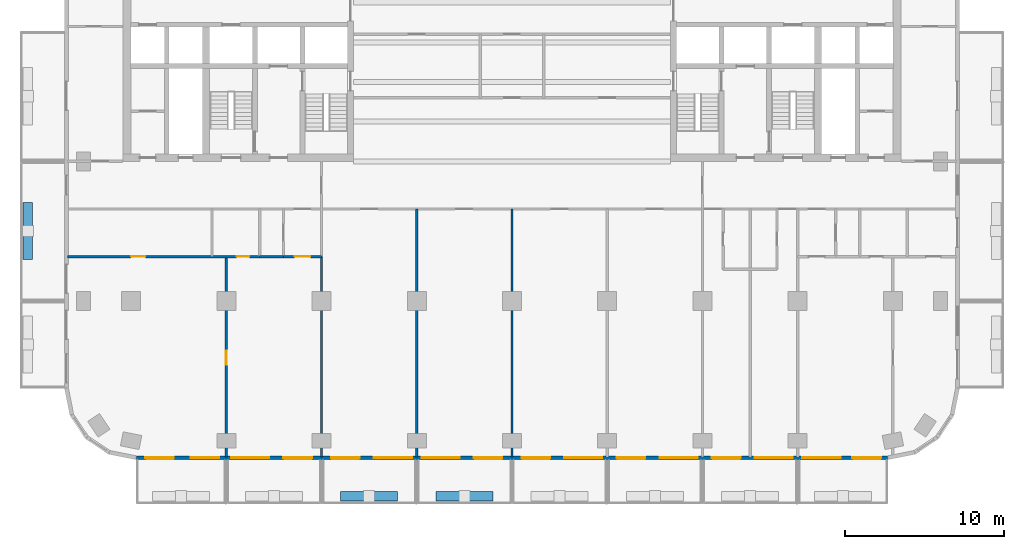
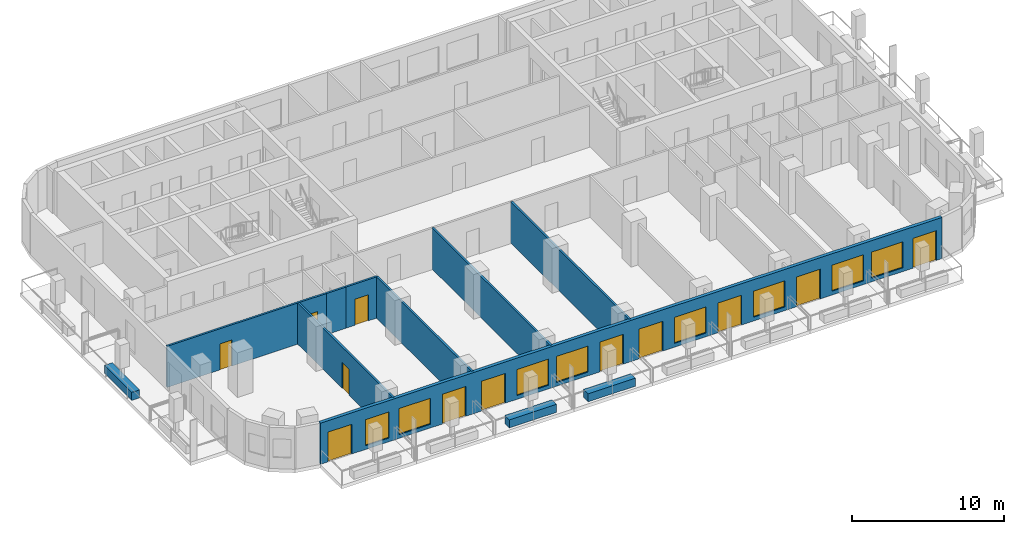
# One storey, part 2 of 12: 12 doors, 11 walls, 8 windows, 20 openings.
"""IFC4 building model written with IfcOpenShell, lengths in metres."""

from ifc_helpers import new_model, si_unit, direction, frame, frame_2d, origin, place, context, subcontext, project, spatial, rectangle, extrude, material, layer, layer_set, type_object, element, fill, save


model = new_model("IFC4")

# Units and contexts
model_context = context("Model", 3, precision=1e-05, world=origin(), true_north=direction((0.0, 1.0)))
body_context = subcontext(model_context, "Body", "Model", "MODEL_VIEW")
ifc_project = project(units=[si_unit("LENGTHUNIT", "METRE"), si_unit("AREAUNIT", "SQUARE_METRE"), si_unit("VOLUMEUNIT", "CUBIC_METRE"), si_unit("PLANEANGLEUNIT", "RADIAN"), si_unit("MASSUNIT", "GRAM", prefix="KILO")], contexts=[model_context])

# Site, building, storey
site_placement = place(None, origin())
site = spatial("IfcSite", under=ifc_project, at=site_placement, CompositionType="ELEMENT")
building_placement = place(site_placement, origin())
building = spatial("IfcBuilding", under=site, at=building_placement, Name="Torana Hotel and Residences", CompositionType="ELEMENT")
storey_placement = place(building_placement, frame((0.0, 0.0, 159.60009765625)))
storey = spatial("IfcBuildingStorey", under=building, at=storey_placement, Name="L41", CompositionType="ELEMENT", Elevation=159.60009765625)

# Wall, openings, doors, windows
ifc_material_1 = material(Name="Black aluminium composite panel", Category="aluminium")
ifc_layer_1 = layer(ifc_material_1, 0.00390625, Name="Cladding", Category="cladding")
ifc_material_2 = material(Name="Ventilated air cavity")
ifc_layer_2 = layer(ifc_material_2, 0.0400390625, Name="Ventilated cavity", Category="cavity")
ifc_material_3 = material(Name="Mineral wool insulation")
ifc_layer_3 = layer(ifc_material_3, 0.090087890625, Name="Insulation", Category="insulation")
ifc_material_4 = material(Name="Steel S280GD", Category="steel")
ifc_layer_4 = layer(ifc_material_4, 0.092041015625, Name="Steel stud frame", Category="structure")
ifc_material_5 = material(Name="Fire rated plasterboard")
ifc_layer_5 = layer(ifc_material_5, 0.011962890625, Name="Inner board", Category="finish")
ifc_layer_6 = layer(ifc_material_5, 0.011962890625, Name="Second board", Category="finish")
ifc_layer_set_1 = layer_set([ifc_layer_1, ifc_layer_2, ifc_layer_3, ifc_layer_4, ifc_layer_5, ifc_layer_6], Name="EW1 EXTERNAL WALL BLACK METAL CLAD 250")
wall_type_1 = type_object("IfcWallType", Name="EW1 EXTERNAL WALL BLACK METAL CLAD 250", PredefinedType="SOLIDWALL", material=ifc_layer_set_1)
wall_1_placement = place(storey_placement, frame((-23.67529296875, -33.675048828125, 0.0), z_axis=(0.0, 0.0, 1.0), x_axis=(1.0, 0.0, 0.0)))
wall_1 = element("IfcWall", 1, at=wall_1_placement, inside=storey, type_object=wall_type_1, Name="External wall L41 e0.14", PredefinedType="SOLIDWALL", context=body_context, shape_type="SweptSolid", body=[
    extrude(rectangle(XDim=47.3505859375, YDim=0.25, at=frame_2d((23.67529296875, 0.0))), origin(), (0.0, 0.0, 1.0), 3.31982421875),
])
opening_1_placement = place(wall_1_placement, frame((0.575439453125, 0.0, 0.0)))
opening_1 = element("IfcOpeningElement", 2, at=opening_1_placement, cuts=wall_1, Name="Opening L41-E01", PredefinedType="OPENING", context=body_context, shape_type="SweptSolid", body=[
    extrude(rectangle(XDim=1.800048828125, YDim=2.39990234375, at=frame_2d((0.89990234375, 1.199951171875))), frame((0.0, 0.135009765625, 0.0), z_axis=(0.0, -1.0, 0.0), x_axis=(1.0, 0.0, 0.0)), (0.0, 0.0, 1.0), 0.27001953125),
])
opening_2_placement = place(wall_1_placement, frame((3.42529296875, 0.0, 0.300048828125)))
opening_2 = element("IfcOpeningElement", 3, at=opening_2_placement, cuts=wall_1, Name="Opening W2", PredefinedType="OPENING", context=body_context, shape_type="SweptSolid", body=[
    extrude(rectangle(XDim=1.800048828125, YDim=2.10009765625, at=frame_2d((0.89990234375, 1.050048828125))), frame((0.0, 0.135009765625, 0.0), z_axis=(0.0, -1.0, 0.0), x_axis=(1.0, 0.0, 0.0)), (0.0, 0.0, 1.0), 0.27001953125),
])
opening_3_placement = place(wall_1_placement, frame((5.975341796875, 0.0, 0.300048828125)))
opening_3 = element("IfcOpeningElement", 4, at=opening_3_placement, cuts=wall_1, Name="Opening W1", PredefinedType="OPENING", context=body_context, shape_type="SweptSolid", body=[
    extrude(rectangle(XDim=2.39990234375, YDim=2.10009765625, at=frame_2d((1.199951171875, 1.050048828125))), frame((0.0, 0.135009765625, 0.0), z_axis=(0.0, -1.0, 0.0), x_axis=(1.0, 0.0, 0.0)), (0.0, 0.0, 1.0), 0.27001953125),
])
opening_4_placement = place(wall_1_placement, frame((9.275390625, 0.0, 0.0)))
opening_4 = element("IfcOpeningElement", 5, at=opening_4_placement, cuts=wall_1, Name="Opening L41-E02", PredefinedType="OPENING", context=body_context, shape_type="SweptSolid", body=[
    extrude(rectangle(XDim=1.800048828125, YDim=2.39990234375, at=frame_2d((0.89990234375, 1.199951171875))), frame((0.0, 0.135009765625, 0.0), z_axis=(0.0, -1.0, 0.0), x_axis=(1.0, 0.0, 0.0)), (0.0, 0.0, 1.0), 0.27001953125),
])
opening_5_placement = place(wall_1_placement, frame((12.275390625, 0.0, 0.0)))
opening_5 = element("IfcOpeningElement", 6, at=opening_5_placement, cuts=wall_1, Name="Opening L41-E03", PredefinedType="OPENING", context=body_context, shape_type="SweptSolid", body=[
    extrude(rectangle(XDim=1.800048828125, YDim=2.39990234375, at=frame_2d((0.89990234375, 1.199951171875))), frame((0.0, 0.135009765625, 0.0), z_axis=(0.0, -1.0, 0.0), x_axis=(1.0, 0.0, 0.0)), (0.0, 0.0, 1.0), 0.27001953125),
])
opening_6_placement = place(wall_1_placement, frame((14.975341796875, 0.0, 0.300048828125)))
opening_6 = element("IfcOpeningElement", 7, at=opening_6_placement, cuts=wall_1, Name="Opening W1", PredefinedType="OPENING", context=body_context, shape_type="SweptSolid", body=[
    extrude(rectangle(XDim=2.39990234375, YDim=2.10009765625, at=frame_2d((1.199951171875, 1.050048828125))), frame((0.0, 0.135009765625, 0.0), z_axis=(0.0, -1.0, 0.0), x_axis=(1.0, 0.0, 0.0)), (0.0, 0.0, 1.0), 0.27001953125),
])
opening_7_placement = place(wall_1_placement, frame((17.975341796875, 0.0, 0.300048828125)))
opening_7 = element("IfcOpeningElement", 8, at=opening_7_placement, cuts=wall_1, Name="Opening W1", PredefinedType="OPENING", context=body_context, shape_type="SweptSolid", body=[
    extrude(rectangle(XDim=2.39990234375, YDim=2.10009765625, at=frame_2d((1.199951171875, 1.050048828125))), frame((0.0, 0.135009765625, 0.0), z_axis=(0.0, -1.0, 0.0), x_axis=(1.0, 0.0, 0.0)), (0.0, 0.0, 1.0), 0.27001953125),
])
opening_8_placement = place(wall_1_placement, frame((21.275390625, 0.0, 0.0)))
opening_8 = element("IfcOpeningElement", 9, at=opening_8_placement, cuts=wall_1, Name="Opening L41-E04", PredefinedType="OPENING", context=body_context, shape_type="SweptSolid", body=[
    extrude(rectangle(XDim=1.800048828125, YDim=2.39990234375, at=frame_2d((0.89990234375, 1.199951171875))), frame((0.0, 0.135009765625, 0.0), z_axis=(0.0, -1.0, 0.0), x_axis=(1.0, 0.0, 0.0)), (0.0, 0.0, 1.0), 0.27001953125),
])
opening_9_placement = place(wall_1_placement, frame((24.275390625, 0.0, 0.0)))
opening_9 = element("IfcOpeningElement", 10, at=opening_9_placement, cuts=wall_1, Name="Opening L41-E05", PredefinedType="OPENING", context=body_context, shape_type="SweptSolid", body=[
    extrude(rectangle(XDim=1.800048828125, YDim=2.39990234375, at=frame_2d((0.89990234375, 1.199951171875))), frame((0.0, 0.135009765625, 0.0), z_axis=(0.0, -1.0, 0.0), x_axis=(1.0, 0.0, 0.0)), (0.0, 0.0, 1.0), 0.27001953125),
])
opening_10_placement = place(wall_1_placement, frame((26.975341796875, 0.0, 0.300048828125)))
opening_10 = element("IfcOpeningElement", 11, at=opening_10_placement, cuts=wall_1, Name="Opening W1", PredefinedType="OPENING", context=body_context, shape_type="SweptSolid", body=[
    extrude(rectangle(XDim=2.39990234375, YDim=2.10009765625, at=frame_2d((1.199951171875, 1.050048828125))), frame((0.0, 0.135009765625, 0.0), z_axis=(0.0, -1.0, 0.0), x_axis=(1.0, 0.0, 0.0)), (0.0, 0.0, 1.0), 0.27001953125),
])
opening_11_placement = place(wall_1_placement, frame((30.275390625, 0.0, 0.0)))
opening_11 = element("IfcOpeningElement", 12, at=opening_11_placement, cuts=wall_1, Name="Opening L41-E06", PredefinedType="OPENING", context=body_context, shape_type="SweptSolid", body=[
    extrude(rectangle(XDim=1.800048828125, YDim=2.39990234375, at=frame_2d((0.89990234375, 1.199951171875))), frame((0.0, 0.135009765625, 0.0), z_axis=(0.0, -1.0, 0.0), x_axis=(1.0, 0.0, 0.0)), (0.0, 0.0, 1.0), 0.27001953125),
])
opening_12_placement = place(wall_1_placement, frame((32.975341796875, 0.0, 0.300048828125)))
opening_12 = element("IfcOpeningElement", 13, at=opening_12_placement, cuts=wall_1, Name="Opening W1", PredefinedType="OPENING", context=body_context, shape_type="SweptSolid", body=[
    extrude(rectangle(XDim=2.39990234375, YDim=2.10009765625, at=frame_2d((1.199951171875, 1.050048828125))), frame((0.0, 0.135009765625, 0.0), z_axis=(0.0, -1.0, 0.0), x_axis=(1.0, 0.0, 0.0)), (0.0, 0.0, 1.0), 0.27001953125),
])
opening_13_placement = place(wall_1_placement, frame((36.275390625, 0.0, 0.0)))
opening_13 = element("IfcOpeningElement", 14, at=opening_13_placement, cuts=wall_1, Name="Opening L41-E07", PredefinedType="OPENING", context=body_context, shape_type="SweptSolid", body=[
    extrude(rectangle(XDim=1.800048828125, YDim=2.39990234375, at=frame_2d((0.89990234375, 1.199951171875))), frame((0.0, 0.135009765625, 0.0), z_axis=(0.0, -1.0, 0.0), x_axis=(1.0, 0.0, 0.0)), (0.0, 0.0, 1.0), 0.27001953125),
])
opening_14_placement = place(wall_1_placement, frame((38.975341796875, 0.0, 0.300048828125)))
opening_14 = element("IfcOpeningElement", 15, at=opening_14_placement, cuts=wall_1, Name="Opening W1", PredefinedType="OPENING", context=body_context, shape_type="SweptSolid", body=[
    extrude(rectangle(XDim=2.39990234375, YDim=2.10009765625, at=frame_2d((1.199951171875, 1.050048828125))), frame((0.0, 0.135009765625, 0.0), z_axis=(0.0, -1.0, 0.0), x_axis=(1.0, 0.0, 0.0)), (0.0, 0.0, 1.0), 0.27001953125),
])
opening_15_placement = place(wall_1_placement, frame((41.975341796875, 0.0, 0.300048828125)))
opening_15 = element("IfcOpeningElement", 16, at=opening_15_placement, cuts=wall_1, Name="Opening W1", PredefinedType="OPENING", context=body_context, shape_type="SweptSolid", body=[
    extrude(rectangle(XDim=2.39990234375, YDim=2.10009765625, at=frame_2d((1.199951171875, 1.050048828125))), frame((0.0, 0.135009765625, 0.0), z_axis=(0.0, -1.0, 0.0), x_axis=(1.0, 0.0, 0.0)), (0.0, 0.0, 1.0), 0.27001953125),
])
opening_16_placement = place(wall_1_placement, frame((45.12548828125, 0.0, 0.0)))
opening_16 = element("IfcOpeningElement", 17, at=opening_16_placement, cuts=wall_1, Name="Opening L41-E08", PredefinedType="OPENING", context=body_context, shape_type="SweptSolid", body=[
    extrude(rectangle(XDim=1.800048828125, YDim=2.39990234375, at=frame_2d((0.89990234375, 1.199951171875))), frame((0.0, 0.135009765625, 0.0), z_axis=(0.0, -1.0, 0.0), x_axis=(1.0, 0.0, 0.0)), (0.0, 0.0, 1.0), 0.27001953125),
])
ifc_material_6 = material(Name="Dark glass in black aluminium frame", Category="aluminium")
door_type_1 = type_object("IfcDoorType", Name="DB1 BALCONY DOOR 1800x2400", OperationType="DOUBLE_DOOR_SINGLE_SWING", PredefinedType="DOOR", material=ifc_material_6)
door_1_placement = place(opening_1_placement, origin())
door_1 = element("IfcDoor", 18, at=door_1_placement, inside=storey, type_object=door_type_1, Name="Balcony door L41", OperationType="DOUBLE_DOOR_SINGLE_SWING", OverallHeight=2.39990234375, OverallWidth=1.800048828125, PredefinedType="DOOR", context=body_context, shape_type="SweptSolid", body=[
    extrude(rectangle(XDim=1.800048828125, YDim=2.39990234375, at=frame_2d((0.89990234375, 1.199951171875))), frame((0.0, 0.02490234375, 0.0), z_axis=(0.0, -1.0, 0.0), x_axis=(1.0, 0.0, 0.0)), (0.0, 0.0, 1.0), 0.050048828125),
])
fill(opening_1, door_1)
door_2_placement = place(opening_4_placement, origin())
door_2 = element("IfcDoor", 19, at=door_2_placement, inside=storey, type_object=door_type_1, Name="Balcony door L41", OperationType="DOUBLE_DOOR_SINGLE_SWING", OverallHeight=2.39990234375, OverallWidth=1.800048828125, PredefinedType="DOOR", context=body_context, shape_type="SweptSolid", body=[
    extrude(rectangle(XDim=1.800048828125, YDim=2.39990234375, at=frame_2d((0.89990234375, 1.199951171875))), frame((0.0, 0.02490234375, 0.0), z_axis=(0.0, -1.0, 0.0), x_axis=(1.0, 0.0, 0.0)), (0.0, 0.0, 1.0), 0.050048828125),
])
fill(opening_4, door_2)
door_3_placement = place(opening_5_placement, origin())
door_3 = element("IfcDoor", 20, at=door_3_placement, inside=storey, type_object=door_type_1, Name="Balcony door L41", OperationType="DOUBLE_DOOR_SINGLE_SWING", OverallHeight=2.39990234375, OverallWidth=1.800048828125, PredefinedType="DOOR", context=body_context, shape_type="SweptSolid", body=[
    extrude(rectangle(XDim=1.800048828125, YDim=2.39990234375, at=frame_2d((0.89990234375, 1.199951171875))), frame((0.0, 0.02490234375, 0.0), z_axis=(0.0, -1.0, 0.0), x_axis=(1.0, 0.0, 0.0)), (0.0, 0.0, 1.0), 0.050048828125),
])
fill(opening_5, door_3)
door_4_placement = place(opening_8_placement, origin())
door_4 = element("IfcDoor", 21, at=door_4_placement, inside=storey, type_object=door_type_1, Name="Balcony door L41", OperationType="DOUBLE_DOOR_SINGLE_SWING", OverallHeight=2.39990234375, OverallWidth=1.800048828125, PredefinedType="DOOR", context=body_context, shape_type="SweptSolid", body=[
    extrude(rectangle(XDim=1.800048828125, YDim=2.39990234375, at=frame_2d((0.89990234375, 1.199951171875))), frame((0.0, 0.02490234375, 0.0), z_axis=(0.0, -1.0, 0.0), x_axis=(1.0, 0.0, 0.0)), (0.0, 0.0, 1.0), 0.050048828125),
])
fill(opening_8, door_4)
door_5_placement = place(opening_9_placement, origin())
door_5 = element("IfcDoor", 22, at=door_5_placement, inside=storey, type_object=door_type_1, Name="Balcony door L41", OperationType="DOUBLE_DOOR_SINGLE_SWING", OverallHeight=2.39990234375, OverallWidth=1.800048828125, PredefinedType="DOOR", context=body_context, shape_type="SweptSolid", body=[
    extrude(rectangle(XDim=1.800048828125, YDim=2.39990234375, at=frame_2d((0.89990234375, 1.199951171875))), frame((0.0, 0.02490234375, 0.0), z_axis=(0.0, -1.0, 0.0), x_axis=(1.0, 0.0, 0.0)), (0.0, 0.0, 1.0), 0.050048828125),
])
fill(opening_9, door_5)
door_6_placement = place(opening_11_placement, origin())
door_6 = element("IfcDoor", 23, at=door_6_placement, inside=storey, type_object=door_type_1, Name="Balcony door L41", OperationType="DOUBLE_DOOR_SINGLE_SWING", OverallHeight=2.39990234375, OverallWidth=1.800048828125, PredefinedType="DOOR", context=body_context, shape_type="SweptSolid", body=[
    extrude(rectangle(XDim=1.800048828125, YDim=2.39990234375, at=frame_2d((0.89990234375, 1.199951171875))), frame((0.0, 0.02490234375, 0.0), z_axis=(0.0, -1.0, 0.0), x_axis=(1.0, 0.0, 0.0)), (0.0, 0.0, 1.0), 0.050048828125),
])
fill(opening_11, door_6)
door_7_placement = place(opening_13_placement, origin())
door_7 = element("IfcDoor", 24, at=door_7_placement, inside=storey, type_object=door_type_1, Name="Balcony door L41", OperationType="DOUBLE_DOOR_SINGLE_SWING", OverallHeight=2.39990234375, OverallWidth=1.800048828125, PredefinedType="DOOR", context=body_context, shape_type="SweptSolid", body=[
    extrude(rectangle(XDim=1.800048828125, YDim=2.39990234375, at=frame_2d((0.89990234375, 1.199951171875))), frame((0.0, 0.02490234375, 0.0), z_axis=(0.0, -1.0, 0.0), x_axis=(1.0, 0.0, 0.0)), (0.0, 0.0, 1.0), 0.050048828125),
])
fill(opening_13, door_7)
door_8_placement = place(opening_16_placement, origin())
door_8 = element("IfcDoor", 25, at=door_8_placement, inside=storey, type_object=door_type_1, Name="Balcony door L41", OperationType="DOUBLE_DOOR_SINGLE_SWING", OverallHeight=2.39990234375, OverallWidth=1.800048828125, PredefinedType="DOOR", context=body_context, shape_type="SweptSolid", body=[
    extrude(rectangle(XDim=1.800048828125, YDim=2.39990234375, at=frame_2d((0.89990234375, 1.199951171875))), frame((0.0, 0.02490234375, 0.0), z_axis=(0.0, -1.0, 0.0), x_axis=(1.0, 0.0, 0.0)), (0.0, 0.0, 1.0), 0.050048828125),
])
fill(opening_16, door_8)
ifc_material_7 = material(Name="Dark glass in black aluminium frame", Category="aluminium")
window_type_1 = type_object("IfcWindowType", Name="W1 HOTEL ROOM WINDOW 2400x2100", PartitioningType="SINGLE_PANEL", PredefinedType="WINDOW", material=ifc_material_7)
window_1_placement = place(opening_3_placement, origin())
window_1 = element("IfcWindow", 26, at=window_1_placement, inside=storey, type_object=window_type_1, Name="Window L41", OverallHeight=2.10009765625, OverallWidth=2.39990234375, PartitioningType="SINGLE_PANEL", PredefinedType="WINDOW", context=body_context, shape_type="SweptSolid", body=[
    extrude(rectangle(XDim=2.39990234375, YDim=2.10009765625, at=frame_2d((1.199951171875, 1.050048828125))), frame((0.0, 0.030029296875, 0.0), z_axis=(0.0, -1.0, 0.0), x_axis=(1.0, 0.0, 0.0)), (0.0, 0.0, 1.0), 0.06005859375),
])
fill(opening_3, window_1)
window_2_placement = place(opening_6_placement, origin())
window_2 = element("IfcWindow", 27, at=window_2_placement, inside=storey, type_object=window_type_1, Name="Window L41", OverallHeight=2.10009765625, OverallWidth=2.39990234375, PartitioningType="SINGLE_PANEL", PredefinedType="WINDOW", context=body_context, shape_type="SweptSolid", body=[
    extrude(rectangle(XDim=2.39990234375, YDim=2.10009765625, at=frame_2d((1.199951171875, 1.050048828125))), frame((0.0, 0.030029296875, 0.0), z_axis=(0.0, -1.0, 0.0), x_axis=(1.0, 0.0, 0.0)), (0.0, 0.0, 1.0), 0.06005859375),
])
fill(opening_6, window_2)
window_3_placement = place(opening_7_placement, origin())
window_3 = element("IfcWindow", 28, at=window_3_placement, inside=storey, type_object=window_type_1, Name="Window L41", OverallHeight=2.10009765625, OverallWidth=2.39990234375, PartitioningType="SINGLE_PANEL", PredefinedType="WINDOW", context=body_context, shape_type="SweptSolid", body=[
    extrude(rectangle(XDim=2.39990234375, YDim=2.10009765625, at=frame_2d((1.199951171875, 1.050048828125))), frame((0.0, 0.030029296875, 0.0), z_axis=(0.0, -1.0, 0.0), x_axis=(1.0, 0.0, 0.0)), (0.0, 0.0, 1.0), 0.06005859375),
])
fill(opening_7, window_3)
window_4_placement = place(opening_10_placement, origin())
window_4 = element("IfcWindow", 29, at=window_4_placement, inside=storey, type_object=window_type_1, Name="Window L41", OverallHeight=2.10009765625, OverallWidth=2.39990234375, PartitioningType="SINGLE_PANEL", PredefinedType="WINDOW", context=body_context, shape_type="SweptSolid", body=[
    extrude(rectangle(XDim=2.39990234375, YDim=2.10009765625, at=frame_2d((1.199951171875, 1.050048828125))), frame((0.0, 0.030029296875, 0.0), z_axis=(0.0, -1.0, 0.0), x_axis=(1.0, 0.0, 0.0)), (0.0, 0.0, 1.0), 0.06005859375),
])
fill(opening_10, window_4)
window_5_placement = place(opening_12_placement, origin())
window_5 = element("IfcWindow", 30, at=window_5_placement, inside=storey, type_object=window_type_1, Name="Window L41", OverallHeight=2.10009765625, OverallWidth=2.39990234375, PartitioningType="SINGLE_PANEL", PredefinedType="WINDOW", context=body_context, shape_type="SweptSolid", body=[
    extrude(rectangle(XDim=2.39990234375, YDim=2.10009765625, at=frame_2d((1.199951171875, 1.050048828125))), frame((0.0, 0.030029296875, 0.0), z_axis=(0.0, -1.0, 0.0), x_axis=(1.0, 0.0, 0.0)), (0.0, 0.0, 1.0), 0.06005859375),
])
fill(opening_12, window_5)
window_6_placement = place(opening_14_placement, origin())
window_6 = element("IfcWindow", 31, at=window_6_placement, inside=storey, type_object=window_type_1, Name="Window L41", OverallHeight=2.10009765625, OverallWidth=2.39990234375, PartitioningType="SINGLE_PANEL", PredefinedType="WINDOW", context=body_context, shape_type="SweptSolid", body=[
    extrude(rectangle(XDim=2.39990234375, YDim=2.10009765625, at=frame_2d((1.199951171875, 1.050048828125))), frame((0.0, 0.030029296875, 0.0), z_axis=(0.0, -1.0, 0.0), x_axis=(1.0, 0.0, 0.0)), (0.0, 0.0, 1.0), 0.06005859375),
])
fill(opening_14, window_6)
window_7_placement = place(opening_15_placement, origin())
window_7 = element("IfcWindow", 32, at=window_7_placement, inside=storey, type_object=window_type_1, Name="Window L41", OverallHeight=2.10009765625, OverallWidth=2.39990234375, PartitioningType="SINGLE_PANEL", PredefinedType="WINDOW", context=body_context, shape_type="SweptSolid", body=[
    extrude(rectangle(XDim=2.39990234375, YDim=2.10009765625, at=frame_2d((1.199951171875, 1.050048828125))), frame((0.0, 0.030029296875, 0.0), z_axis=(0.0, -1.0, 0.0), x_axis=(1.0, 0.0, 0.0)), (0.0, 0.0, 1.0), 0.06005859375),
])
fill(opening_15, window_7)
ifc_material_8 = material(Name="Dark glass in black aluminium frame", Category="aluminium")
window_type_2 = type_object("IfcWindowType", Name="W2 HOTEL ROOM WINDOW NARROW 1800x2100", PartitioningType="SINGLE_PANEL", PredefinedType="WINDOW", material=ifc_material_8)
window_8_placement = place(opening_2_placement, origin())
window_8 = element("IfcWindow", 33, at=window_8_placement, inside=storey, type_object=window_type_2, Name="Window L41", OverallHeight=2.10009765625, OverallWidth=1.800048828125, PartitioningType="SINGLE_PANEL", PredefinedType="WINDOW", context=body_context, shape_type="SweptSolid", body=[
    extrude(rectangle(XDim=1.800048828125, YDim=2.10009765625, at=frame_2d((0.89990234375, 1.050048828125))), frame((0.0, 0.030029296875, 0.0), z_axis=(0.0, -1.0, 0.0), x_axis=(1.0, 0.0, 0.0)), (0.0, 0.0, 1.0), 0.06005859375),
])
fill(opening_2, window_8)

# Wall, opening, door
ifc_material_9 = material(Name="Gypsum plaster")
ifc_layer_7 = layer(ifc_material_9, 0.014892578125, Name="Plaster", Category="finish")
ifc_material_10 = material(Name="Concrete blockwork", Category="masonry")
ifc_layer_8 = layer(ifc_material_10, 0.1201171875, Name="Blockwork", Category="structure")
ifc_layer_9 = layer(ifc_material_9, 0.014892578125, Name="Plaster", Category="finish")
ifc_layer_set_2 = layer_set([ifc_layer_7, ifc_layer_8, ifc_layer_9], Name="FIRE PARTITION 150 BLOCKWORK")
wall_type_2 = type_object("IfcWallType", Name="FIRE PARTITION 150 BLOCKWORK", PredefinedType="PARTITIONING", material=ifc_layer_set_2)
wall_2_placement = place(storey_placement, frame((-14.39990234375, -21.0, 0.0), z_axis=(0.0, 0.0, 1.0), x_axis=(1.0, 0.0, 0.0)))
wall_2 = element("IfcWall", 34, at=wall_2_placement, inside=storey, type_object=wall_type_2, Name="Partition L41", PredefinedType="PARTITIONING", context=body_context, shape_type="SweptSolid", body=[
    extrude(rectangle(XDim=2.39990234375, YDim=0.14990234375, at=frame_2d((1.199951171875, 0.0))), origin(), (0.0, 0.0, 1.0), 3.31982421875),
])
opening_17_placement = place(wall_2_placement, frame((0.699951171875, 0.0, 0.0)))
opening_17 = element("IfcOpeningElement", 35, at=opening_17_placement, cuts=wall_2, Name="Opening L41-56", PredefinedType="OPENING", context=body_context, shape_type="SweptSolid", body=[
    extrude(rectangle(XDim=1.0, YDim=2.10009765625, at=frame_2d((0.5, 1.050048828125))), frame((0.0, 0.0849609375, 0.0), z_axis=(0.0, -1.0, 0.0), x_axis=(1.0, 0.0, 0.0)), (0.0, 0.0, 1.0), 0.169921875),
])
ifc_material_11 = material(Name="Steel S235", Category="steel")
door_type_2 = type_object("IfcDoorType", Name="ENTRY FIRE DOOR D6 1000x2100", OperationType="SINGLE_SWING_LEFT", PredefinedType="DOOR", material=ifc_material_11)
door_9_placement = place(opening_17_placement, frame((0.5, 0.0, 0.0), z_axis=(0.0, 0.0, 1.0), x_axis=(-1.0, 0.0, 0.0)))
door_9 = element("IfcDoor", 36, at=door_9_placement, inside=storey, type_object=door_type_2, Name="Door L41", OperationType="SINGLE_SWING_RIGHT", OverallHeight=2.10009765625, OverallWidth=1.0, PredefinedType="DOOR", context=body_context, shape_type="SweptSolid", body=[
    extrude(rectangle(XDim=1.0, YDim=2.10009765625, at=frame_2d((0.0, 1.050048828125))), frame((0.0, -0.02490234375, 0.0), z_axis=(0.0, 1.0, 0.0), x_axis=(-1.0, 0.0, 0.0)), (0.0, 0.0, 1.0), 0.050048828125),
])
fill(opening_17, door_9)

# Walls
ifc_material_12 = material(Name="Gypsum plasterboard")
ifc_layer_10 = layer(ifc_material_12, 0.012451171875, Name="Plasterboard", Category="finish")
ifc_layer_11 = layer(ifc_material_12, 0.012451171875, Name="Plasterboard", Category="finish")
ifc_layer_12 = layer(ifc_material_4, 0.10009765625, Name="Steel studs with mineral wool", Category="insulation")
ifc_layer_13 = layer(ifc_material_12, 0.012451171875, Name="Plasterboard", Category="finish")
ifc_layer_14 = layer(ifc_material_12, 0.012451171875, Name="Plasterboard", Category="finish")
ifc_layer_set_3 = layer_set([ifc_layer_10, ifc_layer_11, ifc_layer_12, ifc_layer_13, ifc_layer_14], Name="PARTITION 150 PLASTERBOARD")
wall_type_3 = type_object("IfcWallType", Name="PARTITION 150 PLASTERBOARD", PredefinedType="PARTITIONING", material=ifc_layer_set_3)
for number, where, z_axis, x_axis, name in (
    (37, (0.0, -33.6201171875, 0.0), (0.0, 0.0, 1.0), (0.0, 1.0, 0.0), "Partition L41"),
    (38, (-6.0, -33.6201171875, 0.0), (0.0, 0.0, 1.0), (0.0, 1.0, 0.0), "Partition L41"),
):
    element("IfcWall", number, at=place(storey_placement, frame(where, z_axis=z_axis, x_axis=x_axis)), inside=storey, type_object=wall_type_3, Name=name, PredefinedType="PARTITIONING", context=body_context, shape_type="SweptSolid", body=[
        extrude(rectangle(XDim=15.6201171875, YDim=0.14990234375, at=frame_2d((7.81005859375, 0.0))), origin(), (0.0, 0.0, 1.0), 3.31982421875),
    ])
wall_3_placement = place(storey_placement, frame((-12.0, -33.6201171875, 0.0), z_axis=(0.0, 0.0, 1.0), x_axis=(0.0, 1.0, 0.0)))
element("IfcWall", 39, at=wall_3_placement, inside=storey, type_object=wall_type_3, Name="Partition L41", PredefinedType="PARTITIONING", context=body_context, shape_type="SweptSolid", body=[
    extrude(rectangle(XDim=12.6201171875, YDim=0.14990234375, at=frame_2d((6.31005859375, 0.0))), origin(), (0.0, 0.0, 1.0), 3.31982421875),
])

# Wall, opening, door
wall_4_placement = place(storey_placement, frame((-18.0, -33.6201171875, 0.0), z_axis=(0.0, 0.0, 1.0), x_axis=(0.0, 1.0, 0.0)))
wall_4 = element("IfcWall", 40, at=wall_4_placement, inside=storey, type_object=wall_type_3, Name="Partition L41", PredefinedType="PARTITIONING", context=body_context, shape_type="SweptSolid", body=[
    extrude(rectangle(XDim=12.6201171875, YDim=0.14990234375, at=frame_2d((6.31005859375, 0.0))), origin(), (0.0, 0.0, 1.0), 3.31982421875),
])
opening_18_placement = place(wall_4_placement, frame((5.7900390625, 0.0, 0.0)))
opening_18 = element("IfcOpeningElement", 41, at=opening_18_placement, cuts=wall_4, Name="Opening L41-59", PredefinedType="OPENING", context=body_context, shape_type="SweptSolid", body=[
    extrude(rectangle(XDim=0.89990234375, YDim=2.10009765625, at=frame_2d((0.449951171875, 1.050048828125))), frame((0.0, 0.0849609375, 0.0), z_axis=(0.0, -1.0, 0.0), x_axis=(1.0, 0.0, 0.0)), (0.0, 0.0, 1.0), 0.169921875),
])
ifc_material_13 = material(Name="Timber door, oiled ash", Category="wood")
door_type_3 = type_object("IfcDoorType", Name="ROOM DOOR D7 900x2100", OperationType="SINGLE_SWING_LEFT", PredefinedType="DOOR", material=ifc_material_13)
door_10_placement = place(opening_18_placement, origin())
door_10 = element("IfcDoor", 42, at=door_10_placement, inside=storey, type_object=door_type_3, Name="Door L41", OperationType="SINGLE_SWING_RIGHT", OverallHeight=2.10009765625, OverallWidth=0.89990234375, PredefinedType="DOOR", context=body_context, shape_type="SweptSolid", body=[
    extrude(rectangle(XDim=0.89990234375, YDim=2.10009765625, at=frame_2d((0.449951171875, 1.050048828125))), frame((0.0, 0.02490234375, 0.0), z_axis=(0.0, -1.0, 0.0), x_axis=(1.0, 0.0, 0.0)), (0.0, 0.0, 1.0), 0.050048828125),
])
fill(opening_18, door_10)

# Wall, openings, doors
wall_5_placement = place(storey_placement, frame((-28.02001953125, -21.0, 0.0), z_axis=(0.0, 0.0, 1.0), x_axis=(1.0, 0.0, 0.0)))
wall_5 = element("IfcWall", 43, at=wall_5_placement, inside=storey, type_object=wall_type_3, Name="Partition L41", PredefinedType="PARTITIONING", context=body_context, shape_type="SweptSolid", body=[
    extrude(rectangle(XDim=12.1201171875, YDim=0.14990234375, at=frame_2d((6.06005859375, 0.0))), origin(), (0.0, 0.0, 1.0), 3.31982421875),
])
opening_19_placement = place(wall_5_placement, frame((10.669921875, 0.0, 0.0)))
opening_19 = element("IfcOpeningElement", 44, at=opening_19_placement, cuts=wall_5, Name="Opening L41-57", PredefinedType="OPENING", context=body_context, shape_type="SweptSolid", body=[
    extrude(rectangle(XDim=0.800048828125, YDim=2.10009765625, at=frame_2d((0.39990234375, 1.050048828125))), frame((0.0, 0.0849609375, 0.0), z_axis=(0.0, -1.0, 0.0), x_axis=(1.0, 0.0, 0.0)), (0.0, 0.0, 1.0), 0.169921875),
])
opening_20_placement = place(wall_5_placement, frame((4.02001953125, 0.0, 0.0)))
opening_20 = element("IfcOpeningElement", 45, at=opening_20_placement, cuts=wall_5, Name="Opening L41-58", PredefinedType="OPENING", context=body_context, shape_type="SweptSolid", body=[
    extrude(rectangle(XDim=0.89990234375, YDim=2.10009765625, at=frame_2d((0.449951171875, 1.050048828125))), frame((0.0, 0.0849609375, 0.0), z_axis=(0.0, -1.0, 0.0), x_axis=(1.0, 0.0, 0.0)), (0.0, 0.0, 1.0), 0.169921875),
])
ifc_material_14 = material(Name="Timber door, painted", Category="wood")
door_type_4 = type_object("IfcDoorType", Name="BATH DOOR D13 800x2100", OperationType="SINGLE_SWING_LEFT", PredefinedType="DOOR", material=ifc_material_14)
door_11_placement = place(opening_19_placement, origin())
door_11 = element("IfcDoor", 46, at=door_11_placement, inside=storey, type_object=door_type_4, Name="Door L41", OperationType="SINGLE_SWING_LEFT", OverallHeight=2.10009765625, OverallWidth=0.800048828125, PredefinedType="DOOR", context=body_context, shape_type="SweptSolid", body=[
    extrude(rectangle(XDim=0.800048828125, YDim=2.10009765625, at=frame_2d((0.39990234375, 1.050048828125))), frame((0.0, 0.02490234375, 0.0), z_axis=(0.0, -1.0, 0.0), x_axis=(1.0, 0.0, 0.0)), (0.0, 0.0, 1.0), 0.050048828125),
])
fill(opening_19, door_11)
door_12_placement = place(opening_20_placement, origin())
door_12 = element("IfcDoor", 47, at=door_12_placement, inside=storey, type_object=door_type_3, Name="Door L41", OperationType="SINGLE_SWING_RIGHT", OverallHeight=2.10009765625, OverallWidth=0.89990234375, PredefinedType="DOOR", context=body_context, shape_type="SweptSolid", body=[
    extrude(rectangle(XDim=0.89990234375, YDim=2.10009765625, at=frame_2d((0.449951171875, 1.050048828125))), frame((0.0, 0.02490234375, 0.0), z_axis=(0.0, -1.0, 0.0), x_axis=(1.0, 0.0, 0.0)), (0.0, 0.0, 1.0), 0.050048828125),
])
fill(opening_20, door_12)

# Walls
ifc_material_15 = material(Name="Concrete C40/50 precast", Category="concrete")
ifc_layer_15 = layer(ifc_material_15, 0.10009765625, Name="Planter shell", Category="structure")
ifc_material_16 = material(Name="Root resistant membrane")
ifc_layer_16 = layer(ifc_material_16, 0.00390625, Name="Waterproofing membrane", Category="membrane")
ifc_material_17 = material(Name="Drainage board with filter fleece")
ifc_layer_17 = layer(ifc_material_17, 0.02001953125, Name="Drainage board", Category="drainage")
ifc_material_18 = material(Name="Growing medium")
ifc_layer_18 = layer(ifc_material_18, 0.47607421875, Name="Planting substrate", Category="soil")
ifc_layer_set_4 = layer_set([ifc_layer_15, ifc_layer_16, ifc_layer_17, ifc_layer_18], Name="PL1 BALCONY PLANTER 600")
wall_type_4 = type_object("IfcWallType", Name="PL1 BALCONY PLANTER 600", PredefinedType="USERDEFINED", material=ifc_layer_set_4)
for number, where, z_axis, x_axis, name in (
    (48, (-7.199951171875, -36.10009765625, 0.0), (0.0, 0.0, 1.0), (-1.0, 0.0, 0.0), "Planter 03"),
    (49, (-1.199951171875, -36.10009765625, 0.0), (0.0, 0.0, 1.0), (-1.0, 0.0, 0.0), "Planter 04"),
):
    element("IfcWall", number, at=place(storey_placement, frame(where, z_axis=z_axis, x_axis=x_axis)), inside=storey, type_object=wall_type_4, Name=name, ObjectType="PLANTER", PredefinedType="USERDEFINED", context=body_context, shape_type="SweptSolid", body=[
        extrude(rectangle(XDim=3.60009765625, YDim=0.60009765625, at=frame_2d((1.800048828125, 0.0))), origin(), (0.0, 0.0, 1.0), 0.64990234375),
    ])
wall_6_placement = place(storey_placement, frame((-30.5, -21.199951171875, 0.0), z_axis=(0.0, 0.0, 1.0), x_axis=(0.0, 1.0, 0.0)))
element("IfcWall", 50, at=wall_6_placement, inside=storey, type_object=wall_type_4, Name="Planter 10", ObjectType="PLANTER", PredefinedType="USERDEFINED", context=body_context, shape_type="SweptSolid", body=[
    extrude(rectangle(XDim=3.599853515625, YDim=0.60009765625, at=frame_2d((1.7998046875, 0.0))), origin(), (0.0, 0.0, 1.0), 0.64990234375),
])
ifc_material_19 = material(Name="Ceramic tile on adhesive")
ifc_layer_19 = layer(ifc_material_19, 0.010009765625, Name="Wall tile", Category="finish")
ifc_material_20 = material(Name="Cement render")
ifc_layer_20 = layer(ifc_material_20, 0.010009765625, Name="Render", Category="finish")
ifc_layer_21 = layer(ifc_material_10, 0.110107421875, Name="Blockwork", Category="structure")
ifc_layer_22 = layer(ifc_material_20, 0.010009765625, Name="Render", Category="finish")
ifc_layer_23 = layer(ifc_material_19, 0.010009765625, Name="Wall tile", Category="finish")
ifc_layer_set_5 = layer_set([ifc_layer_19, ifc_layer_20, ifc_layer_21, ifc_layer_22, ifc_layer_23], Name="WC PARTITION 150")
wall_type_5 = type_object("IfcWallType", Name="WC PARTITION 150", PredefinedType="PLUMBINGWALL", material=ifc_layer_set_5)
wall_7_placement = place(storey_placement, frame((-15.89990234375, -21.0, 0.0), z_axis=(0.0, 0.0, 1.0), x_axis=(1.0, 0.0, 0.0)))
element("IfcWall", 51, at=wall_7_placement, inside=storey, type_object=wall_type_5, Name="Partition L41", PredefinedType="PLUMBINGWALL", context=body_context, shape_type="SweptSolid", body=[
    extrude(rectangle(XDim=1.5, YDim=0.14990234375, at=frame_2d((0.75, 0.0))), origin(), (0.0, 0.0, 1.0), 3.31982421875),
])

save(model, "model.ifc")
